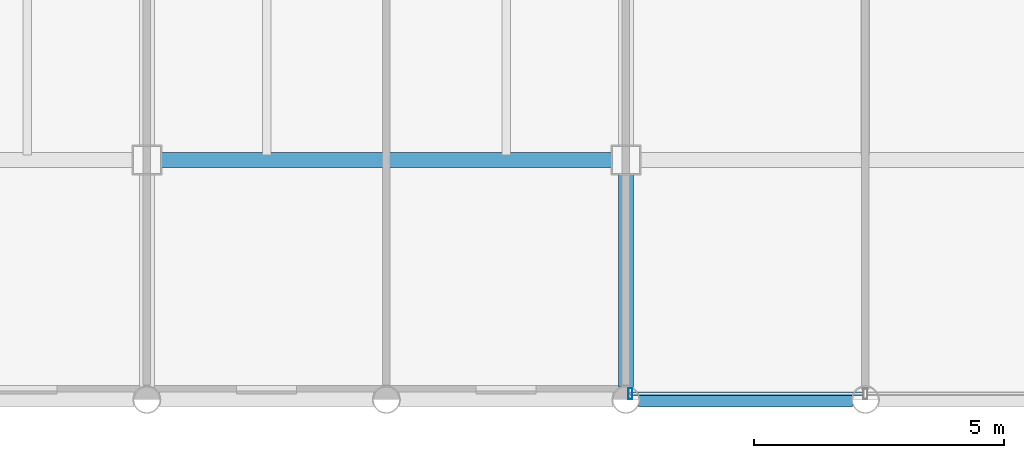
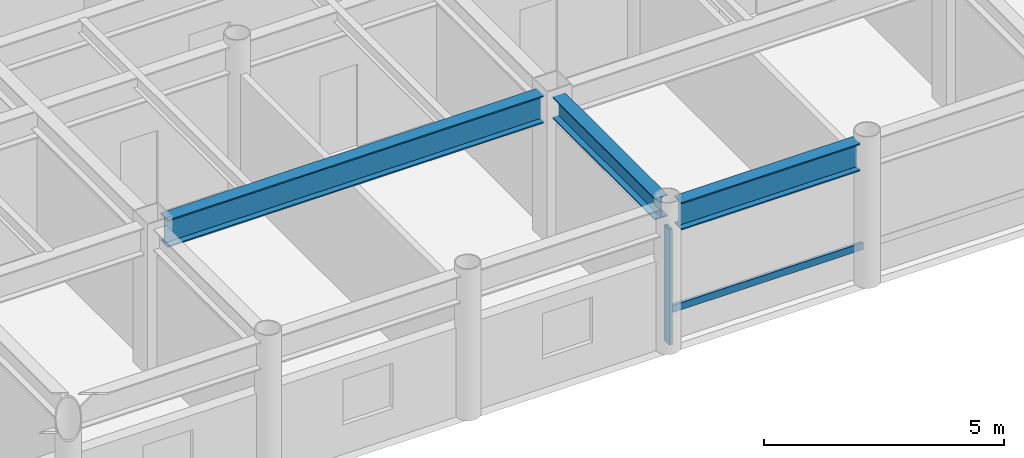
# One storey, part 4 of 22: 3 beams, 2 members, 1 element without a shape of its own.
"""IFC4 building model written with IfcOpenShell, lengths in metres."""

from ifc_helpers import new_model, si_unit, direction, frame, origin, origin_2d, place, context, subcontext, project, spatial, hollow_rectangle, i_section, extrude, material, layer, layer_set, material_profile, profile_set, type_object, element, aggregate, save


model = new_model("IFC4")

# Units and contexts
model_context = context("Model", 3, precision=1e-05, world=origin(), true_north=direction((0.0, 1.0)))
body_context = subcontext(model_context, "Body", "Model", "MODEL_VIEW")
ifc_project = project(units=[si_unit("LENGTHUNIT", "METRE"), si_unit("AREAUNIT", "SQUARE_METRE"), si_unit("VOLUMEUNIT", "CUBIC_METRE"), si_unit("PLANEANGLEUNIT", "RADIAN"), si_unit("MASSUNIT", "GRAM", prefix="KILO")], contexts=[model_context])

# Site, building, storey
site_placement = place(None, origin())
site = spatial("IfcSite", under=ifc_project, at=site_placement, CompositionType="ELEMENT")
building_placement = place(site_placement, origin())
building = spatial("IfcBuilding", under=site, at=building_placement, Name="Kallvorn Hotel Tower", CompositionType="ELEMENT")
storey_placement = place(building_placement, frame((0.0, 0.0, 253.10009765625)))
storey = spatial("IfcBuildingStorey", under=building, at=storey_placement, Name="L63", CompositionType="ELEMENT", Elevation=253.10009765625)

# Beams
ifc_material_1 = material(Name="Structural steel S355JR", Category="steel")
ifc_material_profile_1 = material_profile(ifc_material_1, i_section(OverallWidth=0.300048828125, OverallDepth=0.550048828125, WebThickness=0.014892578125, FlangeThickness=0.029052734375, at=origin_2d()), Name="HE 550 B")
ifc_profile_set_1 = profile_set([ifc_material_profile_1], Name="Structural steel S355JR")
beam_type_1 = type_object("IfcBeamType", Name="BM_HE550B", PredefinedType="SPANDREL", material=ifc_profile_set_1)
beam_1_placement = place(storey_placement, frame((-4.800048828125, -18.945556640625, 3.39501953125), z_axis=(0.0, 1.0, 0.0), x_axis=(-1.0, 0.0, 0.0)))
element("IfcBeam", 1, at=beam_1_placement, inside=storey, type_object=beam_type_1, Name="L64 Primary Y-Girder 106", PredefinedType="SPANDREL", context=body_context, shape_type="SweptSolid", body=[
    extrude(i_section(OverallWidth=0.300048828125, OverallDepth=0.550048828125, WebThickness=0.014892578125, FlangeThickness=0.029052734375, at=origin_2d()), origin(), (0.0, 0.0, 1.0), 4.2705078125),
])
ifc_material_2 = material(Name="Structural steel S355JR", Category="steel")
ifc_material_profile_2 = material_profile(ifc_material_2, i_section(OverallWidth=0.300048828125, OverallDepth=0.699951171875, WebThickness=0.01708984375, FlangeThickness=0.031982421875, at=origin_2d()), Name="HE 700 B")
ifc_profile_set_2 = profile_set([ifc_material_profile_2], Name="Structural steel S355JR")
beam_type_2 = type_object("IfcBeamType", Name="BM_HE700B", PredefinedType="BEAM", material=ifc_profile_set_2)
beam_2_placement = place(storey_placement, frame((-4.54541015625, -19.199951171875, 3.31982421875), z_axis=(1.0, 0.0, 0.0), x_axis=(0.0, 1.0, 0.0)))
element("IfcBeam", 2, at=beam_2_placement, inside=storey, type_object=beam_type_2, Name="L64 Primary X-Girder 06", PredefinedType="BEAM", context=body_context, shape_type="SweptSolid", body=[
    extrude(i_section(OverallWidth=0.300048828125, OverallDepth=0.699951171875, WebThickness=0.01708984375, FlangeThickness=0.031982421875, at=origin_2d()), origin(), (0.0, 0.0, 1.0), 4.291015625),
])
beam_3_placement = place(storey_placement, frame((-14.125, -14.39990234375, 3.31982421875), z_axis=(1.0, 0.0, 0.0), x_axis=(0.0, 1.0, 0.0)))
element("IfcBeam", 3, at=beam_3_placement, inside=storey, type_object=beam_type_2, Name="L64 Primary X-Girder 17", PredefinedType="BEAM", context=body_context, shape_type="SweptSolid", body=[
    extrude(i_section(OverallWidth=0.300048828125, OverallDepth=0.699951171875, WebThickness=0.01708984375, FlangeThickness=0.031982421875, at=origin_2d()), origin(), (0.0, 0.0, 1.0), 9.050048828125),
])

# Curtain wall, members
ifc_material_3 = material(Name="Thermally broken black-anodised aluminium AA 6063-T6", Category="aluminium")
ifc_layer = layer(ifc_material_3, 0.22998046875)
ifc_layer_set = layer_set([ifc_layer], Name="CW_SYS_5_HOTEL_HIGH")
curtain_wall_type = type_object("IfcCurtainWallType", Name="CW_SYS_5_HOTEL_HIGH", PredefinedType="USERDEFINED", material=ifc_layer_set)
curtain_wall_placement = place(storey_placement, origin())
curtain_wall = element("IfcCurtainWall", 4, at=curtain_wall_placement, inside=storey, type_object=curtain_wall_type, Name="L63 Dark-Glass Curtain Wall CW-L63-SC", ObjectType="UNITISED CURTAIN WALL", PredefinedType="USERDEFINED")
ifc_material_4 = material(Name="Thermally broken black-anodised aluminium AA 6063-T6", Category="aluminium")
ifc_material_profile_3 = material_profile(ifc_material_4, hollow_rectangle(XDim=0.080078125, YDim=0.219970703125, WallThickness=0.0048828125, at=origin_2d()), Name="MUL 220x80")
ifc_profile_set_3 = profile_set([ifc_material_profile_3], Name="Thermally broken black-anodised aluminium AA 6063-T6")
member_type_1 = type_object("IfcMemberType", Name="CW_MULLION_220x80", PredefinedType="MULLION", material=ifc_profile_set_3)
member_1_placement = place(storey_placement, frame((-4.7099609375, -19.080078125, 0.02001953125), z_axis=(0.0, 0.0, 1.0), x_axis=(1.0, 0.0, 0.0)))
member_1 = element("IfcMember", 5, at=member_1_placement, type_object=member_type_1, Name="CW-L63-SC Mullion 00", PredefinedType="MULLION", context=body_context, shape_type="SweptSolid", body=[
    extrude(hollow_rectangle(XDim=0.080078125, YDim=0.219970703125, WallThickness=0.0048828125, at=origin_2d()), origin(), (0.0, 0.0, 1.0), 2.929931640625),
])
ifc_material_5 = material(Name="Thermally broken black-anodised aluminium AA 6063-T6", Category="aluminium")
ifc_material_profile_4 = material_profile(ifc_material_5, hollow_rectangle(XDim=0.070068359375, YDim=0.179931640625, WallThickness=0.00390625, at=origin_2d()), Name="TRN 180x70")
ifc_profile_set_4 = profile_set([ifc_material_profile_4], Name="Thermally broken black-anodised aluminium AA 6063-T6")
member_type_2 = type_object("IfcMemberType", Name="CW_TRANSOM_180x70", PredefinedType="USERDEFINED", material=ifc_profile_set_4)
member_2_placement = place(storey_placement, frame((-4.7099609375, -19.080078125, 0.849853515625), z_axis=(1.0, 0.0, 0.0), x_axis=(0.0, 1.0, 0.0)))
member_2 = element("IfcMember", 6, at=member_2_placement, type_object=member_type_2, Name="CW-L63-SC Transom 00M", ObjectType="TRANSOM", PredefinedType="USERDEFINED", context=body_context, shape_type="SweptSolid", body=[
    extrude(hollow_rectangle(XDim=0.070068359375, YDim=0.179931640625, WallThickness=0.00390625, at=origin_2d()), origin(), (0.0, 0.0, 1.0), 4.669921875),
])
aggregate(curtain_wall, [member_1, member_2])

save(model, "model.ifc")
